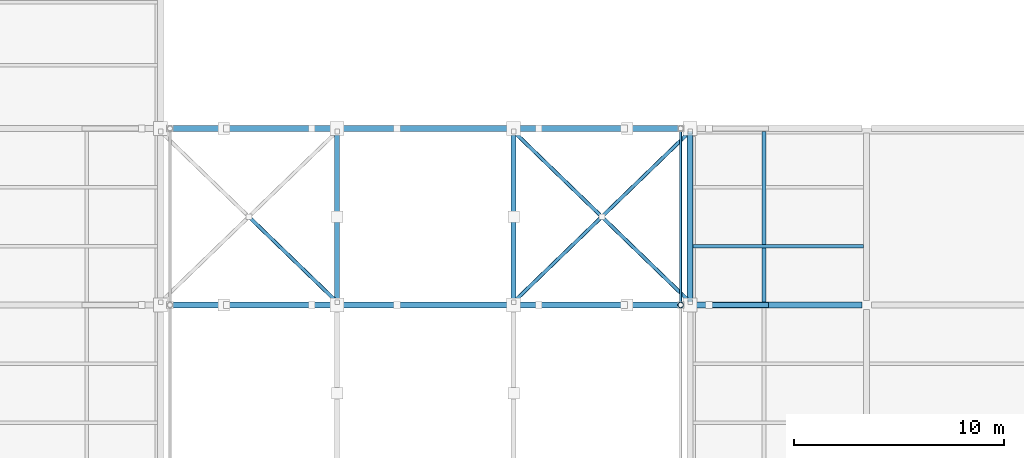
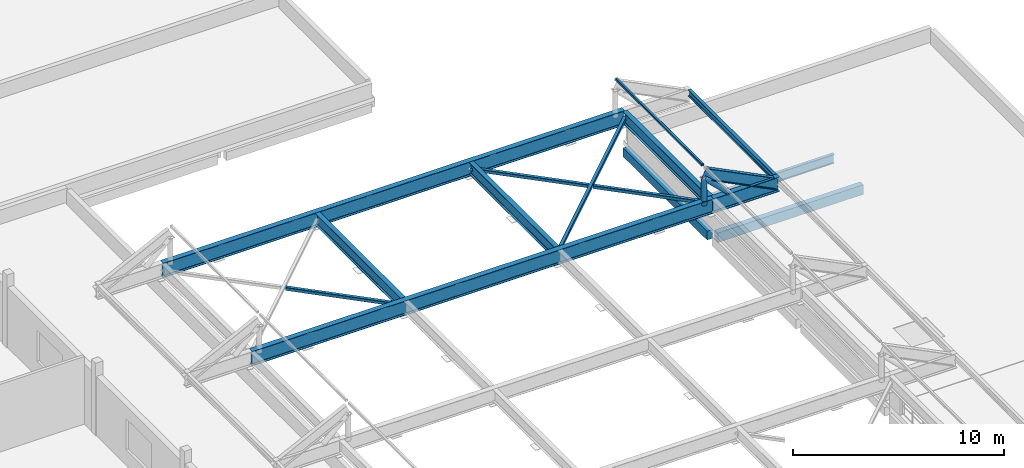
# One storey, part 20 of 41: 11 beams, 7 members.
"""IFC4 building model written with IfcOpenShell, lengths in metres."""

from ifc_helpers import new_model, si_unit, direction, frame, origin, origin_2d, place, context, subcontext, project, spatial, rectangle, hollow_rectangle, hollow_circle, i_section, extrude, material, material_profile, profile_set, type_object, element, save


model = new_model("IFC4")

# Units and contexts
model_context = context("Model", 3, precision=1e-05, world=origin(), true_north=direction((0.0, 1.0)))
body_context = subcontext(model_context, "Body", "Model", "MODEL_VIEW")
ifc_project = project(units=[si_unit("LENGTHUNIT", "METRE"), si_unit("AREAUNIT", "SQUARE_METRE"), si_unit("VOLUMEUNIT", "CUBIC_METRE"), si_unit("PLANEANGLEUNIT", "RADIAN"), si_unit("MASSUNIT", "GRAM", prefix="KILO")], contexts=[model_context])

# Site, building, storey
site_placement = place(None, origin())
site = spatial("IfcSite", under=ifc_project, at=site_placement, CompositionType="ELEMENT")
building_placement = place(site_placement, origin())
building = spatial("IfcBuilding", under=site, at=building_placement, Name="Vireocrest Preparatory School", CompositionType="ELEMENT")
storey_placement = place(building_placement, frame((0.0, 0.0, 21.60009765625)))
storey = spatial("IfcBuildingStorey", under=building, at=storey_placement, Name="L05", CompositionType="ELEMENT", Elevation=21.60009765625)

# Beams
ifc_material_1 = material(Name="Structural steel ASTM A992 Grade 50", Category="steel")
ifc_material_profile_1 = material_profile(ifc_material_1, i_section(OverallWidth=0.25390625, OverallDepth=0.68408203125, WebThickness=0.012451171875, FlangeThickness=0.018798828125, FilletRadius=0.01806640625, at=origin_2d()), Name="W27X94")
ifc_profile_set_1 = profile_set([ifc_material_profile_1], Name="Structural steel ASTM A992 Grade 50")
beam_type_1 = type_object("IfcBeamType", Name="Bridge Primary Steel Girder W27X94", PredefinedType="BEAM", material=ifc_profile_set_1)
for number, where, z_axis, x_axis, name in (
    (1, (75.60009765625, 77.5439453125, 1.492919921875), (0.0, 1.0, 0.0), (-1.0, 0.0, 0.0), "Canopy Longitudinal Beam WT-7"),
    (2, (84.0, 77.5439453125, 1.492919921875), (0.0, 1.0, 0.0), (-1.0, 0.0, 0.0), "Canopy Longitudinal Beam ET-7"),
    (3, (92.39990234375, 77.5439453125, 1.492919921875), (0.0, 1.0, 0.0), (-1.0, 0.0, 0.0), "Canopy Longitudinal Beam EO-7"),
):
    element("IfcBeam", number, at=place(storey_placement, frame(where, z_axis=z_axis, x_axis=x_axis)), inside=storey, type_object=beam_type_1, Name=name, PredefinedType="BEAM", context=body_context, shape_type="SweptSolid", body=[
        extrude(i_section(OverallWidth=0.25390625, OverallDepth=0.68408203125, WebThickness=0.012451171875, FlangeThickness=0.018798828125, FilletRadius=0.01806640625, at=origin_2d()), origin(), (0.0, 0.0, 1.0), 8.112060546875),
    ])

# Members
ifc_material_2 = material(Name="Painted white steel ASTM A500 Grade C", Category="steel")
ifc_material_profile_2 = material_profile(ifc_material_2, hollow_rectangle(XDim=0.126953125, YDim=0.126953125, WallThickness=0.0087890625, InnerFilletRadius=0.0087890625, OuterFilletRadius=0.017822265625, at=origin_2d()), Name="HSS5X5X3/8")
ifc_profile_set_2 = profile_set([ifc_material_profile_2], Name="Painted white steel ASTM A500 Grade C")
member_type_1 = type_object("IfcMemberType", Name="Canopy Glass Steel Purlin HSS5X5X3/8", PredefinedType="PURLIN", material=ifc_profile_set_2)
member_1_placement = place(storey_placement, frame((91.949951171875, 77.510009765625, 3.7919921875), z_axis=(0.0, 1.0, 0.0), x_axis=(-1.0, 0.0, 0.0)))
element("IfcMember", 4, at=member_1_placement, inside=storey, type_object=member_type_1, Name="Canopy Glass Purlin PR2-7-8", PredefinedType="PURLIN", context=body_context, shape_type="SweptSolid", body=[
    extrude(hollow_rectangle(XDim=0.126953125, YDim=0.126953125, WallThickness=0.0087890625, InnerFilletRadius=0.0087890625, OuterFilletRadius=0.017822265625, at=origin_2d()), origin(), (0.0, 0.0, 1.0), 8.179931640625),
])
ifc_material_profile_3 = material_profile(ifc_material_2, hollow_rectangle(XDim=0.177734375, YDim=0.177734375, WallThickness=0.0087890625, InnerFilletRadius=0.0087890625, OuterFilletRadius=0.017822265625, at=origin_2d()), Name="HSS7X7X3/8")
ifc_profile_set_3 = profile_set([ifc_material_profile_3], Name="Painted white steel ASTM A500 Grade C")
member_type_2 = type_object("IfcMemberType", Name="Canopy Plane Wind Brace HSS7X7X3/8", PredefinedType="BRACE", material=ifc_profile_set_3)
member_2_placement = place(storey_placement, frame((71.486328125, 81.5166015625, 1.41748046875), z_axis=(0.718995483653, -0.695014744079, 0.0), x_axis=(0.695014744079, 0.718995483653, 0.0)))
element("IfcMember", 5, at=member_2_placement, inside=storey, type_object=member_type_2, Name="Canopy Split Wind X-Brace BR2-7-W-2", PredefinedType="BRACE", context=body_context, shape_type="SweptSolid", body=[
    extrude(hollow_rectangle(XDim=0.177734375, YDim=0.177734375, WallThickness=0.0087890625, InnerFilletRadius=0.0087890625, OuterFilletRadius=0.017822265625, at=origin_2d()), origin(), (0.0, 0.0, 1.0), 5.721435546875),
])
member_3_placement = place(storey_placement, frame((84.0, 77.5400390625, 1.41748046875), z_axis=(0.718989768396, 0.695020656486, 0.0), x_axis=(-0.695020656486, 0.718989768396, 0.0)))
element("IfcMember", 6, at=member_3_placement, inside=storey, type_object=member_type_2, Name="Canopy Wind Brace BR2-7-E", PredefinedType="BRACE", context=body_context, shape_type="SweptSolid", body=[
    extrude(hollow_rectangle(XDim=0.177734375, YDim=0.177734375, WallThickness=0.0087890625, InnerFilletRadius=0.0087890625, OuterFilletRadius=0.017822265625, at=origin_2d()), origin(), (0.0, 0.0, 1.0), 11.682861328125),
])
for number, where, z_axis, x_axis, name in (
    (7, (84.0, 85.659912109375, 1.41748046875), (0.718995483653, -0.695014744079, 0.0), (0.695014744079, 0.718995483653, 0.0), "Canopy Split Wind X-Brace BR2-7-E-1"),
    (8, (88.286376953125, 81.5166015625, 1.41748046875), (0.718974870981, -0.695036067336, 0.0), (0.695036067336, 0.718974870981, 0.0), "Canopy Split Wind X-Brace BR2-7-E-2"),
):
    element("IfcMember", number, at=place(storey_placement, frame(where, z_axis=z_axis, x_axis=x_axis)), inside=storey, type_object=member_type_2, Name=name, PredefinedType="BRACE", context=body_context, shape_type="SweptSolid", body=[
        extrude(hollow_rectangle(XDim=0.177734375, YDim=0.177734375, WallThickness=0.0087890625, InnerFilletRadius=0.0087890625, OuterFilletRadius=0.017822265625, at=origin_2d()), origin(), (0.0, 0.0, 1.0), 5.721435546875),
    ])

# Beams
ifc_material_profile_4 = material_profile(ifc_material_1, i_section(OverallWidth=0.2919921875, OverallDepth=0.8349609375, WebThickness=0.013916015625, FlangeThickness=0.018798828125, FilletRadius=0.02001953125, at=origin_2d()), Name="W33X118")
ifc_profile_set_4 = profile_set([ifc_material_profile_4], Name="Structural steel ASTM A992 Grade 50")
beam_type_2 = type_object("IfcBeamType", Name="Central Court Canopy Primary Girder W33X118", PredefinedType="BEAM", material=ifc_profile_set_4)
beam_1_placement = place(storey_placement, frame((67.199951171875, 77.39990234375, 1.41748046875), z_axis=(1.0, 0.0, 0.0), x_axis=(0.0, 1.0, 0.0)))
element("IfcBeam", 9, at=beam_1_placement, inside=storey, type_object=beam_type_2, Name="Central Court Canopy Primary Girder CG1-7C", PredefinedType="BEAM", context=body_context, shape_type="SweptSolid", body=[
    extrude(i_section(OverallWidth=0.2919921875, OverallDepth=0.8349609375, WebThickness=0.013916015625, FlangeThickness=0.018798828125, FilletRadius=0.02001953125, at=origin_2d()), origin(), (0.0, 0.0, 1.0), 25.199951171875),
])
beam_2_placement = place(storey_placement, frame((92.39990234375, 77.39990234375, 1.41748046875), z_axis=(1.0, 0.0, 0.0), x_axis=(0.0, 1.0, 0.0)))
element("IfcBeam", 10, at=beam_2_placement, inside=storey, type_object=beam_type_2, Name="Central Court Canopy Primary Girder CG1-7E", PredefinedType="BEAM", context=body_context, shape_type="SweptSolid", body=[
    extrude(i_section(OverallWidth=0.2919921875, OverallDepth=0.8349609375, WebThickness=0.013916015625, FlangeThickness=0.018798828125, FilletRadius=0.02001953125, at=origin_2d()), origin(), (0.0, 0.0, 1.0), 3.60009765625),
])
beam_3_placement = place(storey_placement, frame((67.199951171875, 85.800048828125, 1.41748046875), z_axis=(1.0, 0.0, 0.0), x_axis=(0.0, 1.0, 0.0)))
element("IfcBeam", 11, at=beam_3_placement, inside=storey, type_object=beam_type_2, Name="Central Court Canopy Primary Girder CG1-8C", PredefinedType="BEAM", context=body_context, shape_type="SweptSolid", body=[
    extrude(i_section(OverallWidth=0.2919921875, OverallDepth=0.8349609375, WebThickness=0.013916015625, FlangeThickness=0.018798828125, FilletRadius=0.02001953125, at=origin_2d()), origin(), (0.0, 0.0, 1.0), 25.199951171875),
])
ifc_material_profile_5 = material_profile(ifc_material_1, i_section(OverallWidth=0.22802734375, OverallDepth=0.60302734375, WebThickness=0.010498046875, FlangeThickness=0.014892578125, FilletRadius=0.01611328125, at=origin_2d()), Name="W24X68")
ifc_profile_set_5 = profile_set([ifc_material_profile_5], Name="Structural steel ASTM A992 Grade 50")
beam_type_3 = type_object("IfcBeamType", Name="Dining Pavilion Roof Girder W24X68", PredefinedType="BEAM", material=ifc_profile_set_5)
beam_4_placement = place(storey_placement, frame((91.949951171875, 77.39990234375, 3.394287109375), z_axis=(0.894869090369, 0.0, -0.446328702979), x_axis=(0.0, 1.0, 0.0)))
element("IfcBeam", 12, at=beam_4_placement, inside=storey, type_object=beam_type_3, Name="Canopy Rafter Chord SB4-7-8", PredefinedType="BEAM", context=body_context, shape_type="SweptSolid", body=[
    extrude(i_section(OverallWidth=0.22802734375, OverallDepth=0.60302734375, WebThickness=0.010498046875, FlangeThickness=0.014892578125, FilletRadius=0.01611328125, at=origin_2d()), origin(), (0.0, 0.0, 1.0), 4.52587890625),
])
ifc_material_profile_6 = material_profile(ifc_material_1, i_section(OverallWidth=0.172119140625, OverallDepth=0.35791015625, WebThickness=0.0078125, FlangeThickness=0.01318359375, FilletRadius=0.012939453125, at=origin_2d()), Name="W14X38")
ifc_profile_set_6 = profile_set([ifc_material_profile_6], Name="Structural steel ASTM A992 Grade 50")
beam_type_4 = type_object("IfcBeamType", Name="Entrance Canopy Header Lintel W14X38", PredefinedType="USERDEFINED", material=ifc_profile_set_6)
beam_5_placement = place(storey_placement, frame((95.919921875, 77.5439453125, 1.656005859375), z_axis=(0.0, 1.0, 0.0), x_axis=(-1.0, 0.0, 0.0)))
element("IfcBeam", 13, at=beam_5_placement, inside=storey, type_object=beam_type_4, Name="Canopy Longitudinal Beam ETIP-7", ObjectType="LINTEL", PredefinedType="USERDEFINED", context=body_context, shape_type="SweptSolid", body=[
    extrude(i_section(OverallWidth=0.172119140625, OverallDepth=0.35791015625, WebThickness=0.0078125, FlangeThickness=0.01318359375, FilletRadius=0.012939453125, at=origin_2d()), origin(), (0.0, 0.0, 1.0), 8.112060546875),
])
ifc_material_profile_7 = material_profile(ifc_material_1, i_section(OverallWidth=0.166015625, OverallDepth=0.529052734375, WebThickness=0.009765625, FlangeThickness=0.013671875, FilletRadius=0.014892578125, at=origin_2d()), Name="W21X50")
ifc_profile_set_7 = profile_set([ifc_material_profile_7], Name="Structural steel ASTM A992 Grade 50")
beam_type_5 = type_object("IfcBeamType", Name="Pavilion Roof Joist W21X50", PredefinedType="JOIST", material=ifc_profile_set_7)
beam_6_placement = place(storey_placement, frame((92.550048828125, 80.199951171875, -0.484619140625), z_axis=(1.0, 0.0, 0.0), x_axis=(0.0, 1.0, 0.0)))
element("IfcBeam", 14, at=beam_6_placement, inside=storey, type_object=beam_type_5, Name="Secondary Joist SJ1 L05-1673", PredefinedType="JOIST", context=body_context, shape_type="SweptSolid", body=[
    extrude(i_section(OverallWidth=0.166015625, OverallDepth=0.529052734375, WebThickness=0.009765625, FlangeThickness=0.013671875, FilletRadius=0.014892578125, at=origin_2d()), origin(), (0.0, 0.0, 1.0), 8.099853515625),
])
ifc_material_3 = material(Name="Concrete 40 MPa", Category="concrete")
ifc_material_profile_8 = material_profile(ifc_material_3, rectangle(XDim=0.300048828125, YDim=0.5, at=origin_2d()), Name="RC 300x500")
ifc_profile_set_8 = profile_set([ifc_material_profile_8], Name="Concrete 40 MPa")
beam_type_6 = type_object("IfcBeamType", Name="RC Roof Edge Beam 300x500", PredefinedType="BEAM", material=ifc_profile_set_8)
beam_7_placement = place(storey_placement, frame((92.39990234375, 77.625, -0.47021484375), z_axis=(0.0, 1.0, 0.0), x_axis=(-1.0, 0.0, 0.0)))
element("IfcBeam", 15, at=beam_7_placement, inside=storey, type_object=beam_type_6, Name="Primary Girder B01 L05-1602", PredefinedType="BEAM", context=body_context, shape_type="SweptSolid", body=[
    extrude(rectangle(XDim=0.300048828125, YDim=0.5, at=origin_2d()), origin(), (0.0, 0.0, 1.0), 7.949951171875),
])
ifc_material_profile_9 = material_profile(ifc_material_3, rectangle(XDim=0.300048828125, YDim=0.550048828125, at=origin_2d()), Name="RC 300x550")
ifc_profile_set_9 = profile_set([ifc_material_profile_9], Name="Concrete 40 MPa")
beam_type_7 = type_object("IfcBeamType", Name="RC Roof Girder 300x550", PredefinedType="BEAM", material=ifc_profile_set_9)
beam_8_placement = place(storey_placement, frame((92.625, 77.39990234375, -0.4951171875), z_axis=(1.0, 0.0, 0.0), x_axis=(0.0, 1.0, 0.0)))
element("IfcBeam", 16, at=beam_8_placement, inside=storey, type_object=beam_type_7, Name="Primary Girder B02 L05-1540", PredefinedType="BEAM", context=body_context, shape_type="SweptSolid", body=[
    extrude(rectangle(XDim=0.300048828125, YDim=0.550048828125, at=origin_2d()), origin(), (0.0, 0.0, 1.0), 7.949951171875),
])

# Members
ifc_material_profile_10 = material_profile(ifc_material_2, hollow_circle(Radius=0.136474609375, WallThickness=0.0126953125, at=origin_2d()), Name="HSS10.750X0.500")
ifc_profile_set_10 = profile_set([ifc_material_profile_10], Name="Painted white steel ASTM A500 Grade C")
member_type_3 = type_object("IfcMemberType", Name="White Steel Clerestory Strut HSS10.750X0.500", PredefinedType="USERDEFINED", material=ifc_profile_set_10)
member_4_placement = place(storey_placement, frame((91.949951171875, 77.39990234375, 1.577392578125), z_axis=(0.0, 0.0, 1.0), x_axis=(1.0, 0.0, 0.0)))
element("IfcMember", 17, at=member_4_placement, inside=storey, type_object=member_type_3, Name="Canopy Truss Web Vertical VS3-7-8", ObjectType="STRUT", PredefinedType="USERDEFINED", context=body_context, shape_type="SweptSolid", body=[
    extrude(hollow_circle(Radius=0.136474609375, WallThickness=0.0126953125, at=origin_2d()), origin(), (0.0, 0.0, 1.0), 1.54052734375),
])
member_5_placement = place(storey_placement, frame((93.300048828125, 77.39990234375, 1.81494140625), z_axis=(-0.719551659837, 0.0, 0.694438916555), x_axis=(0.0, -1.0, 0.0)))
element("IfcMember", 18, at=member_5_placement, inside=storey, type_object=member_type_3, Name="Canopy Truss Web Strut VS3-7-7", ObjectType="STRUT", PredefinedType="USERDEFINED", context=body_context, shape_type="SweptSolid", body=[
    extrude(hollow_circle(Radius=0.136474609375, WallThickness=0.0126953125, at=origin_2d()), origin(), (0.0, 0.0, 1.0), 1.876220703125),
])

save(model, "model.ifc")
